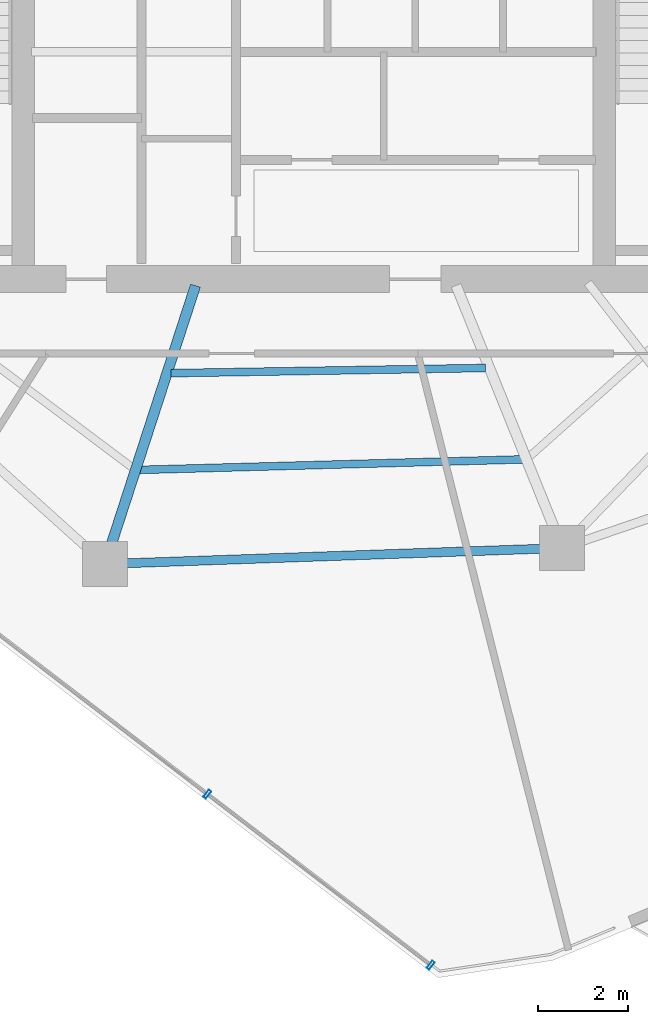
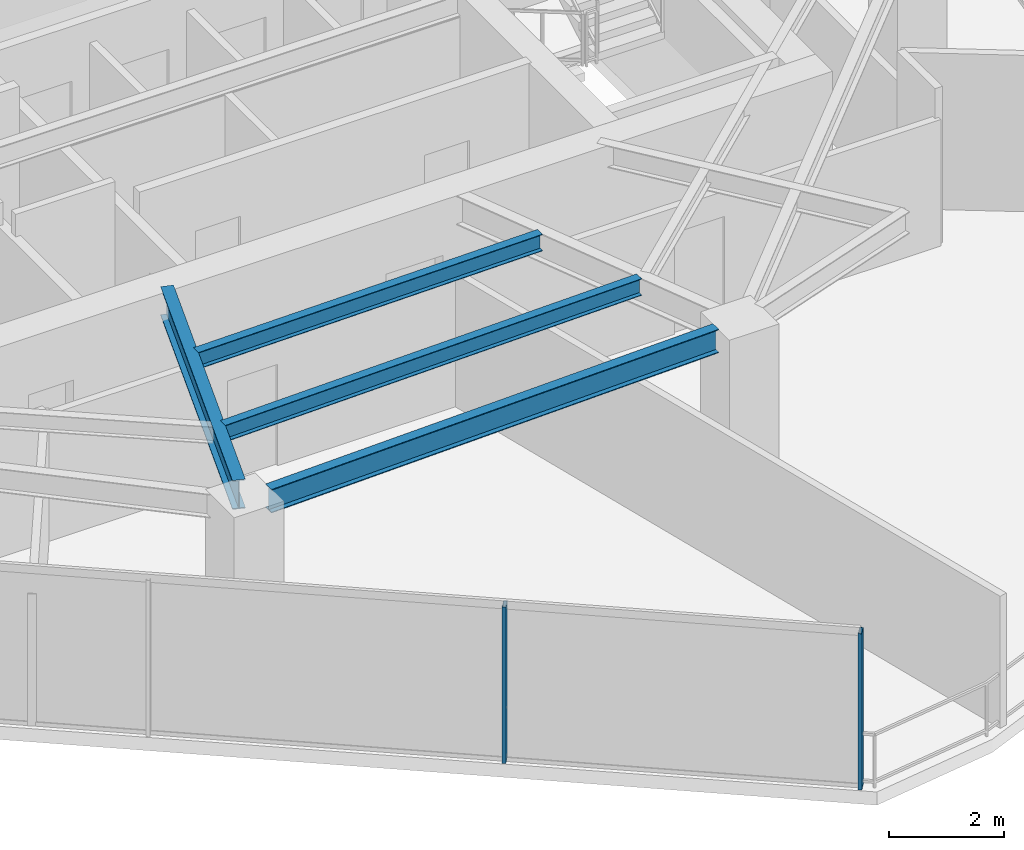
# One storey, part 4 of 20: 4 beams, 2 members, 1 element without a shape of its own.
"""IFC4 building model written with IfcOpenShell, lengths in metres."""

from ifc_helpers import new_model, si_unit, direction, frame, origin, origin_2d, place, context, subcontext, project, spatial, hollow_rectangle, i_section, extrude, material, layer, layer_set, material_profile, profile_set, type_object, element, aggregate, save


model = new_model("IFC4")

# Units and contexts
model_context = context("Model", 3, precision=1e-05, world=origin(), true_north=direction((0.0, 1.0)))
body_context = subcontext(model_context, "Body", "Model", "MODEL_VIEW")
ifc_project = project(units=[si_unit("LENGTHUNIT", "METRE"), si_unit("AREAUNIT", "SQUARE_METRE"), si_unit("VOLUMEUNIT", "CUBIC_METRE"), si_unit("PLANEANGLEUNIT", "RADIAN"), si_unit("MASSUNIT", "GRAM", prefix="KILO")], contexts=[model_context])

# Site, building, storey
site_placement = place(None, origin())
site = spatial("IfcSite", under=ifc_project, at=site_placement, CompositionType="ELEMENT")
building_placement = place(site_placement, origin())
building = spatial("IfcBuilding", under=site, at=building_placement, Name="Qarnah Convention Tower", CompositionType="ELEMENT")
storey_placement = place(building_placement, frame((0.0, 0.0, 150.89990234375)))
storey = spatial("IfcBuildingStorey", under=building, at=storey_placement, Name="L40", CompositionType="ELEMENT", Elevation=150.89990234375)

# Beams
ifc_material_1 = material(Name="Structural steel S355JR", Category="steel")
ifc_material_profile_1 = material_profile(ifc_material_1, i_section(OverallWidth=0.172119140625, OverallDepth=0.35595703125, WebThickness=0.007080078125, FlangeThickness=0.011962890625, at=origin_2d()), Name="W360X51")
ifc_profile_set_1 = profile_set([ifc_material_profile_1], Name="Structural steel S355JR")
beam_type_1 = type_object("IfcBeamType", Name="BM-JST-W360", PredefinedType="JOIST", material=ifc_profile_set_1)
beam_1_placement = place(storey_placement, frame((33.37890625, 14.365966796875, 3.14208984375), z_axis=(0.999623839225, 0.027425901128, 0.0), x_axis=(-0.027425901128, 0.999623839225, 0.0)))
element("IfcBeam", 1, at=beam_1_placement, inside=storey, type_object=beam_type_1, Name="L40 joist BM-L40-SJST-07", PredefinedType="JOIST", context=body_context, shape_type="SweptSolid", body=[
    extrude(i_section(OverallWidth=0.172119140625, OverallDepth=0.35595703125, WebThickness=0.007080078125, FlangeThickness=0.011962890625, at=origin_2d()), origin(), (0.0, 0.0, 1.0), 8.501220703125),
])
beam_2_placement = place(storey_placement, frame((34.077880859375, 16.513916015625, 3.14208984375), z_axis=(0.999864288508, 0.016474360872, 0.0), x_axis=(-0.016474360872, 0.999864288508, 0.0)))
element("IfcBeam", 2, at=beam_2_placement, inside=storey, type_object=beam_type_1, Name="L40 joist BM-L40-IJST-07", PredefinedType="JOIST", context=body_context, shape_type="SweptSolid", body=[
    extrude(i_section(OverallWidth=0.172119140625, OverallDepth=0.35595703125, WebThickness=0.007080078125, FlangeThickness=0.011962890625, at=origin_2d()), origin(), (0.0, 0.0, 1.0), 6.97998046875),
])
ifc_material_profile_2 = material_profile(ifc_material_1, i_section(OverallWidth=0.22998046875, OverallDepth=0.617919921875, WebThickness=0.012939453125, FlangeThickness=0.02197265625, at=origin_2d()), Name="W610X140")
ifc_profile_set_2 = profile_set([ifc_material_profile_2], Name="Structural steel S355JR")
beam_type_2 = type_object("IfcBeamType", Name="BM-RAD-W610A", PredefinedType="BEAM", material=ifc_profile_set_2)
beam_3_placement = place(storey_placement, frame((34.6201171875, 18.45703125, 3.010986328125), z_axis=(-0.30919796314, -0.950997696942, 0.0), x_axis=(0.950997696942, -0.30919796314, 0.0)))
element("IfcBeam", 3, at=beam_3_placement, inside=storey, type_object=beam_type_2, Name="L40 beam BM-L40-RAD-07", PredefinedType="BEAM", context=body_context, shape_type="SweptSolid", body=[
    extrude(i_section(OverallWidth=0.22998046875, OverallDepth=0.617919921875, WebThickness=0.012939453125, FlangeThickness=0.02197265625, at=origin_2d()), origin(), (0.0, 0.0, 1.0), 6.01904296875),
])
ifc_material_profile_3 = material_profile(ifc_material_1, i_section(OverallWidth=0.199951171875, OverallDepth=0.5, WebThickness=0.010009765625, FlangeThickness=0.01611328125, at=origin_2d()), Name="IPE500")
ifc_profile_set_3 = profile_set([ifc_material_profile_3], Name="Structural steel S355JR")
beam_type_3 = type_object("IfcBeamType", Name="BM-SPN-IPE500", PredefinedType="SPANDREL", material=ifc_profile_set_3)
beam_4_placement = place(storey_placement, frame((33.10107421875, 12.2939453125, 3.070068359375), z_axis=(0.999391665003, 0.034875491717, 0.0), x_axis=(-0.034875491717, 0.999391665003, 0.0)))
element("IfcBeam", 4, at=beam_4_placement, inside=storey, type_object=beam_type_3, Name="L40 spandrel BM-L40-SPN-07", PredefinedType="SPANDREL", context=body_context, shape_type="SweptSolid", body=[
    extrude(i_section(OverallWidth=0.199951171875, OverallDepth=0.5, WebThickness=0.010009765625, FlangeThickness=0.01611328125, at=origin_2d()), origin(), (0.0, 0.0, 1.0), 9.177490234375),
])

# Curtain wall, members
ifc_material_2 = material(Name="Tempered Low-E dark glass", Category="glass")
ifc_layer = layer(ifc_material_2, 0.172119140625)
ifc_layer_set = layer_set([ifc_layer], Name="Tempered Low-E dark glass")
curtain_wall_type = type_object("IfcCurtainWallType", Name="CWS-03", PredefinedType="NOTDEFINED", material=ifc_layer_set)
curtain_wall_placement = place(storey_placement, origin())
curtain_wall = element("IfcCurtainWall", 5, at=curtain_wall_placement, inside=storey, type_object=curtain_wall_type, Name="L40 unitised curtain wall CW-L40-F3", PredefinedType="NOTDEFINED")
ifc_material_3 = material(Name="Black anodised aluminium", Category="aluminium")
ifc_material_profile_4 = material_profile(ifc_material_3, hollow_rectangle(XDim=0.070068359375, YDim=0.199951171875, WallThickness=0.0048828125, at=origin_2d()), Name="MUL-70X200")
ifc_profile_set_4 = profile_set([ifc_material_profile_4], Name="Black anodised aluminium")
member_type = type_object("IfcMemberType", Name="MUL-T3", PredefinedType="MULLION", material=ifc_profile_set_4)
member_1_placement = place(storey_placement, frame((39.842041015625, 3.368896484375, 0.0), z_axis=(0.0, 0.0, 1.0), x_axis=(-0.793992266072, 0.607927858728, 0.0)))
member_1 = element("IfcMember", 6, at=member_1_placement, type_object=member_type, Name="CW-L40-F3 mullion 1", PredefinedType="MULLION", context=body_context, shape_type="SweptSolid", body=[
    extrude(hollow_rectangle(XDim=0.070068359375, YDim=0.199951171875, WallThickness=0.0048828125, at=origin_2d()), origin(), (0.0, 0.0, 1.0), 3.320068359375),
])
member_2_placement = place(storey_placement, frame((34.88330078125, 7.16552734375, 0.0), z_axis=(0.0, 0.0, 1.0), x_axis=(-0.793992266072, 0.607927858728, 0.0)))
member_2 = element("IfcMember", 7, at=member_2_placement, type_object=member_type, Name="CW-L40-F3 mullion 2", PredefinedType="MULLION", context=body_context, shape_type="SweptSolid", body=[
    extrude(hollow_rectangle(XDim=0.070068359375, YDim=0.199951171875, WallThickness=0.0048828125, at=origin_2d()), origin(), (0.0, 0.0, 1.0), 3.320068359375),
])
aggregate(curtain_wall, [member_1, member_2])

save(model, "model.ifc")
